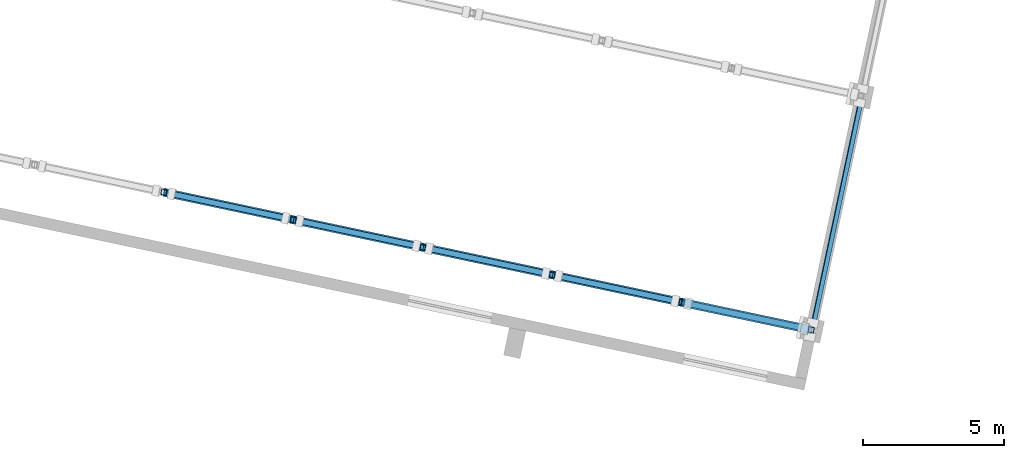
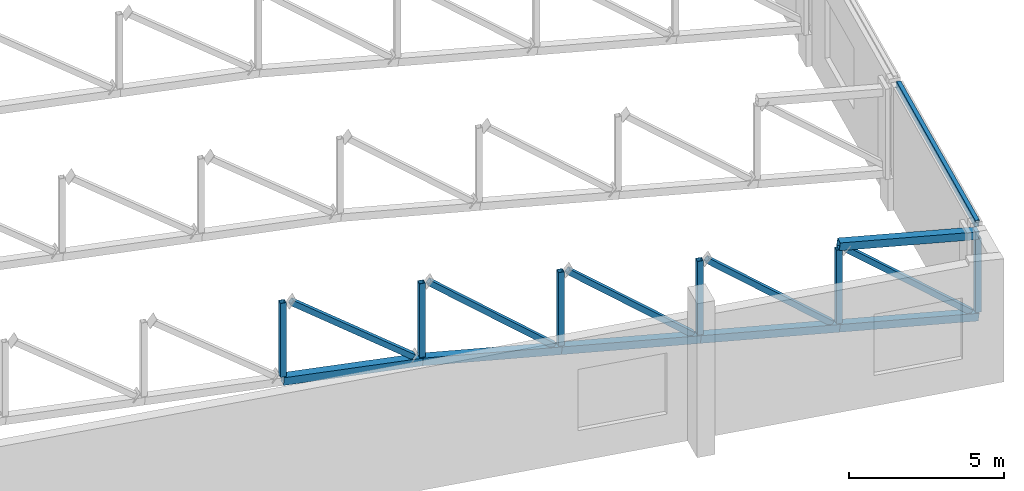
# One storey, part 36 of 182: 18 members.
"""IFC4 building model written with IfcOpenShell, lengths in metres."""

from ifc_helpers import new_model, si_unit, direction, frame, origin, origin_2d, place, context, subcontext, project, spatial, hollow_rectangle, extrude, material, material_profile, profile_set, type_object, element, save


model = new_model("IFC4")

# Units and contexts
model_context = context("Model", 3, precision=1e-05, world=origin(), true_north=direction((0.0, 1.0)))
body_context = subcontext(model_context, "Body", "Model", "MODEL_VIEW")
ifc_project = project(units=[si_unit("LENGTHUNIT", "METRE"), si_unit("AREAUNIT", "SQUARE_METRE"), si_unit("VOLUMEUNIT", "CUBIC_METRE"), si_unit("PLANEANGLEUNIT", "RADIAN"), si_unit("MASSUNIT", "GRAM", prefix="KILO")], contexts=[model_context])

# Site, building, storey
site_placement = place(None, origin())
site = spatial("IfcSite", under=ifc_project, at=site_placement, CompositionType="ELEMENT")
building_placement = place(site_placement, origin())
building = spatial("IfcBuilding", under=site, at=building_placement, Name="Okhra Congress Centre", CompositionType="ELEMENT")
storey_placement = place(building_placement, frame((0.0, 0.0, 7.199951171875)))
storey = spatial("IfcBuildingStorey", under=building, at=storey_placement, Name="L01", CompositionType="ELEMENT", Elevation=7.199951171875)

# Members
ifc_material = material(Name="Steel S355J2", Category="steel")
ifc_material_profile_1 = material_profile(ifc_material, hollow_rectangle(XDim=0.14990234375, YDim=0.25, WallThickness=0.008056640625, at=origin_2d()), Name="RHS 250x150x8")
ifc_profile_set_1 = profile_set([ifc_material_profile_1], Name="Steel S355J2")
member_type_1 = type_object("IfcMemberType", Name="Steel roof purlin RHS 250x150x8", PredefinedType="PURLIN", material=ifc_profile_set_1)
member_1_placement = place(storey_placement, frame((255.18115234375, 84.087646484375, 4.722900390625), z_axis=(0.2079021972, 0.978149618616, 0.0), x_axis=(-0.970858639687, 0.206352525748, 0.121869343405)))
element("IfcMember", 1, at=member_1_placement, inside=storey, type_object=member_type_1, Name="Roof purlin 1.27", PredefinedType="PURLIN", context=body_context, shape_type="SweptSolid", body=[
    extrude(hollow_rectangle(XDim=0.14990234375, YDim=0.25, WallThickness=0.008056640625, at=origin_2d()), origin(), (0.0, 0.0, 1.0), 8.2001953125),
])
ifc_material_profile_2 = material_profile(ifc_material, hollow_rectangle(XDim=0.300048828125, YDim=0.300048828125, WallThickness=0.01611328125, at=origin_2d()), Name="RHS 300x300x16")
ifc_profile_set_2 = profile_set([ifc_material_profile_2], Name="Steel S355J2")
member_type_2 = type_object("IfcMemberType", Name="Steel truss chord RHS 300x300x16", PredefinedType="CHORD", material=ifc_profile_set_2)
member_2_placement = place(storey_placement, frame((232.130859375, 88.833984375, 3.8046875), z_axis=(0.976800887128, -0.207654484927, -0.052341587632), x_axis=(0.207939520185, 0.978141685005, 0.0)))
element("IfcMember", 2, at=member_2_placement, inside=storey, type_object=member_type_2, Name="Hall truss 1 bottom chord 8", PredefinedType="CHORD", context=body_context, shape_type="SweptSolid", body=[
    extrude(hollow_rectangle(XDim=0.300048828125, YDim=0.300048828125, WallThickness=0.01611328125, at=origin_2d()), origin(), (0.0, 0.0, 1.0), 4.706298828125),
])
member_3_placement = place(storey_placement, frame((236.72802734375, 87.856689453125, 3.558349609375), z_axis=(0.970862224409, -0.206329489782, -0.121879788567), x_axis=(0.207879256857, 0.978154494223, 0.0)))
element("IfcMember", 3, at=member_3_placement, inside=storey, type_object=member_type_2, Name="Hall truss 1 bottom chord 9", PredefinedType="CHORD", context=body_context, shape_type="SweptSolid", body=[
    extrude(hollow_rectangle(XDim=0.300048828125, YDim=0.300048828125, WallThickness=0.01611328125, at=origin_2d()), origin(), (0.0, 0.0, 1.0), 4.7353515625),
])
member_4_placement = place(storey_placement, frame((241.325439453125, 86.879638671875, 2.981201171875), z_axis=(0.970855033432, -0.206390477898, -0.121833799469), x_axis=(0.207939520185, 0.978141685005, 0.0)))
element("IfcMember", 4, at=member_4_placement, inside=storey, type_object=member_type_2, Name="Hall truss 1 bottom chord 10", PredefinedType="CHORD", context=body_context, shape_type="SweptSolid", body=[
    extrude(hollow_rectangle(XDim=0.300048828125, YDim=0.300048828125, WallThickness=0.01611328125, at=origin_2d()), origin(), (0.0, 0.0, 1.0), 4.735107421875),
])
member_5_placement = place(storey_placement, frame((245.922607421875, 85.90234375, 2.404296875), z_axis=(0.970862224409, -0.206329489782, -0.121879788567), x_axis=(0.207879256857, 0.978154494223, 0.0)))
element("IfcMember", 5, at=member_5_placement, inside=storey, type_object=member_type_2, Name="Hall truss 1 bottom chord 11", PredefinedType="CHORD", context=body_context, shape_type="SweptSolid", body=[
    extrude(hollow_rectangle(XDim=0.300048828125, YDim=0.300048828125, WallThickness=0.01611328125, at=origin_2d()), origin(), (0.0, 0.0, 1.0), 4.7353515625),
])
for number, where, z_axis, x_axis, name in (
    (6, (250.52001953125, 84.92529296875, 1.8271484375), (0.970848933654, -0.206389181169, -0.121884592627), (0.207939520185, 0.978141685005, 0.0), "Hall truss 1 bottom chord 12"),
    (7, (250.52001953125, 84.92529296875, 5.027099609375), (0.970848933654, -0.206389181169, -0.121884592627), (0.207939520185, 0.978141685005, 0.0), "Hall truss 1 top chord 12"),
):
    element("IfcMember", number, at=place(storey_placement, frame(where, z_axis=z_axis, x_axis=x_axis)), inside=storey, type_object=member_type_2, Name=name, PredefinedType="CHORD", context=body_context, shape_type="SweptSolid", body=[
        extrude(hollow_rectangle(XDim=0.300048828125, YDim=0.300048828125, WallThickness=0.01611328125, at=origin_2d()), origin(), (0.0, 0.0, 1.0), 4.735107421875),
    ])
ifc_material_profile_3 = material_profile(ifc_material, hollow_rectangle(XDim=0.199951171875, YDim=0.199951171875, WallThickness=0.010009765625, at=origin_2d()), Name="RHS 200x200x10 diagonal")
ifc_profile_set_3 = profile_set([ifc_material_profile_3], Name="Steel S355J2")
member_type_3 = type_object("IfcMemberType", Name="Steel truss diagonal RHS 200x200x10", PredefinedType="BRACE", material=ifc_profile_set_3)
member_6_placement = place(storey_placement, frame((232.414306640625, 88.773681640625, 6.792236328125), z_axis=(0.788811773706, -0.167672674699, -0.591322128642), x_axis=(0.2079182829, 0.97814619952, 0.0)))
element("IfcMember", 8, at=member_6_placement, inside=storey, type_object=member_type_3, Name="Hall truss 1 diagonal 8", PredefinedType="BRACE", context=body_context, shape_type="SweptSolid", body=[
    extrude(hollow_rectangle(XDim=0.199951171875, YDim=0.199951171875, WallThickness=0.010009765625, at=origin_2d()), origin(), (0.0, 0.0, 1.0), 5.109375),
])
for number, where, z_axis, x_axis, name in (
    (9, (236.961669921875, 87.80712890625, 6.56640625), (0.762448811516, -0.162081220514, -0.626419578059), (0.207933444311, 0.978142976633, 0.0), "Hall truss 1 diagonal 9"),
    (10, (241.55908203125, 86.829833984375, 5.9892578125), (0.762454380818, -0.162037331464, -0.626424153736), (0.207878119852, 0.978154735861, 0.0), "Hall truss 1 diagonal 10"),
):
    element("IfcMember", number, at=place(storey_placement, frame(where, z_axis=z_axis, x_axis=x_axis)), inside=storey, type_object=member_type_3, Name=name, PredefinedType="BRACE", context=body_context, shape_type="SweptSolid", body=[
        extrude(hollow_rectangle(XDim=0.199951171875, YDim=0.199951171875, WallThickness=0.010009765625, at=origin_2d()), origin(), (0.0, 0.0, 1.0), 5.41650390625),
    ])
member_7_placement = place(storey_placement, frame((246.156494140625, 85.852783203125, 5.412109375), z_axis=(0.762451468256, -0.162091367416, -0.62641371885), x_axis=(0.207945205612, 0.978140476344, 0.0)))
element("IfcMember", 11, at=member_7_placement, inside=storey, type_object=member_type_3, Name="Hall truss 1 diagonal 11", PredefinedType="BRACE", context=body_context, shape_type="SweptSolid", body=[
    extrude(hollow_rectangle(XDim=0.199951171875, YDim=0.199951171875, WallThickness=0.010009765625, at=origin_2d()), origin(), (0.0, 0.0, 1.0), 5.416259765625),
])
member_8_placement = place(storey_placement, frame((250.753662109375, 84.87548828125, 4.835205078125), z_axis=(0.762454380818, -0.162037331464, -0.626424153736), x_axis=(0.207878119852, 0.978154735861, 0.0)))
element("IfcMember", 12, at=member_8_placement, inside=storey, type_object=member_type_3, Name="Hall truss 1 diagonal 12", PredefinedType="BRACE", context=body_context, shape_type="SweptSolid", body=[
    extrude(hollow_rectangle(XDim=0.199951171875, YDim=0.199951171875, WallThickness=0.010009765625, at=origin_2d()), origin(), (0.0, 0.0, 1.0), 5.41650390625),
])
ifc_material_profile_4 = material_profile(ifc_material, hollow_rectangle(XDim=0.199951171875, YDim=0.199951171875, WallThickness=0.010009765625, at=origin_2d()), Name="RHS 200x200x10")
ifc_profile_set_4 = profile_set([ifc_material_profile_4], Name="Steel S355J2")
member_type_4 = type_object("IfcMemberType", Name="Steel truss post RHS 200x200x10", PredefinedType="POST", material=ifc_profile_set_4)
member_9_placement = place(storey_placement, frame((232.130859375, 88.833984375, 3.954833984375), z_axis=(0.0, 0.0, 1.0), x_axis=(0.978147600734, -0.207911690818, 0.0)))
element("IfcMember", 13, at=member_9_placement, inside=storey, type_object=member_type_4, Name="Hall truss 1 post 8", PredefinedType="POST", context=body_context, shape_type="SweptSolid", body=[
    extrude(hollow_rectangle(XDim=0.199951171875, YDim=0.199951171875, WallThickness=0.010009765625, at=origin_2d()), origin(), (0.0, 0.0, 1.0), 2.899658203125),
])
member_10_placement = place(storey_placement, frame((236.72802734375, 87.856689453125, 3.70947265625), z_axis=(0.0, 0.0, 1.0), x_axis=(0.978147600734, -0.207911690818, 0.0)))
element("IfcMember", 14, at=member_10_placement, inside=storey, type_object=member_type_4, Name="Hall truss 1 post 9", PredefinedType="POST", context=body_context, shape_type="SweptSolid", body=[
    extrude(hollow_rectangle(XDim=0.199951171875, YDim=0.199951171875, WallThickness=0.010009765625, at=origin_2d()), origin(), (0.0, 0.0, 1.0), 2.897705078125),
])
member_11_placement = place(storey_placement, frame((241.325439453125, 86.879638671875, 3.13232421875), z_axis=(0.0, 0.0, 1.0), x_axis=(0.978147600734, -0.207911690818, 0.0)))
element("IfcMember", 15, at=member_11_placement, inside=storey, type_object=member_type_4, Name="Hall truss 1 post 10", PredefinedType="POST", context=body_context, shape_type="SweptSolid", body=[
    extrude(hollow_rectangle(XDim=0.199951171875, YDim=0.199951171875, WallThickness=0.010009765625, at=origin_2d()), origin(), (0.0, 0.0, 1.0), 2.89794921875),
])
for number, where, z_axis, x_axis, name in (
    (16, (245.922607421875, 85.90234375, 2.555419921875), (0.0, 0.0, 1.0), (0.978147600734, -0.207911690818, 0.0), "Hall truss 1 post 11"),
    (17, (250.52001953125, 84.92529296875, 1.978271484375), (0.0, 0.0, 1.0), (0.978147600734, -0.207911690818, 0.0), "Hall truss 1 post 12"),
    (18, (255.1171875, 83.947998046875, 1.401123046875), (0.0, 0.0, 1.0), (0.978147600734, -0.207911690818, 0.0), "Hall truss 1 post 13"),
):
    element("IfcMember", number, at=place(storey_placement, frame(where, z_axis=z_axis, x_axis=x_axis)), inside=storey, type_object=member_type_4, Name=name, PredefinedType="POST", context=body_context, shape_type="SweptSolid", body=[
        extrude(hollow_rectangle(XDim=0.199951171875, YDim=0.199951171875, WallThickness=0.010009765625, at=origin_2d()), origin(), (0.0, 0.0, 1.0), 2.897705078125),
    ])

save(model, "model.ifc")
